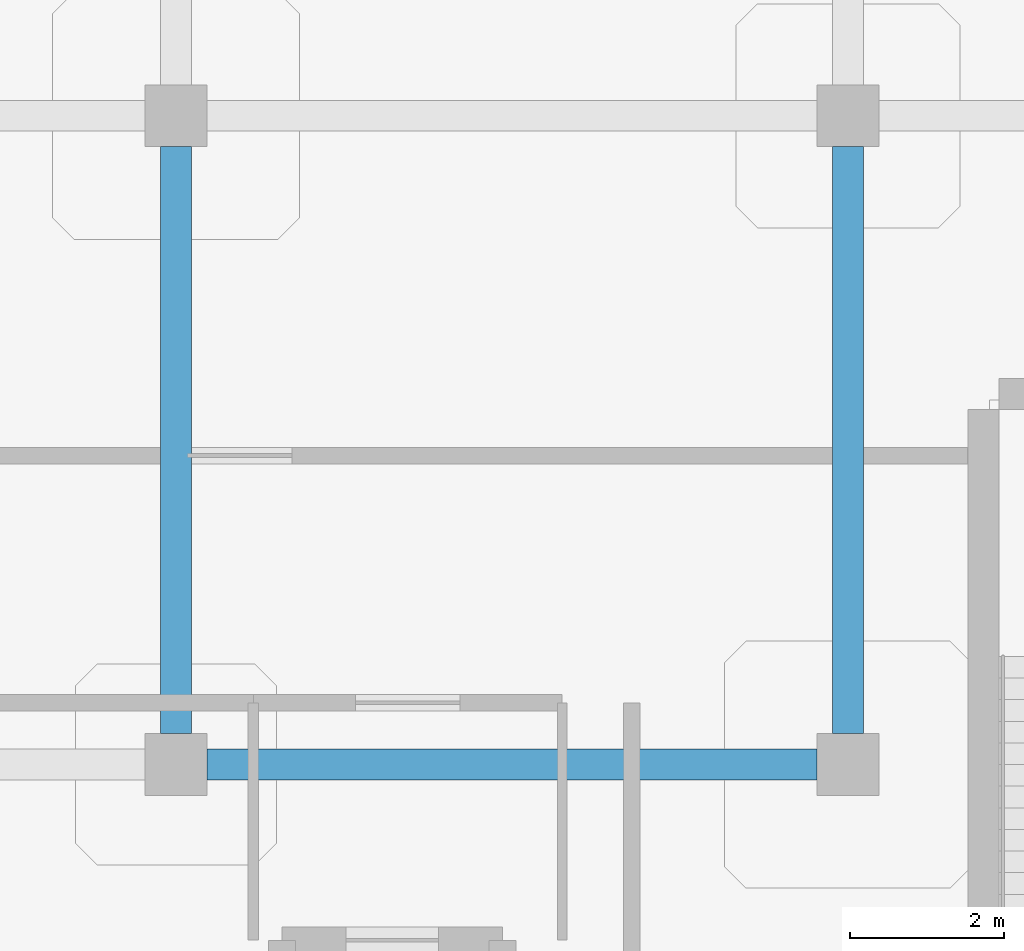
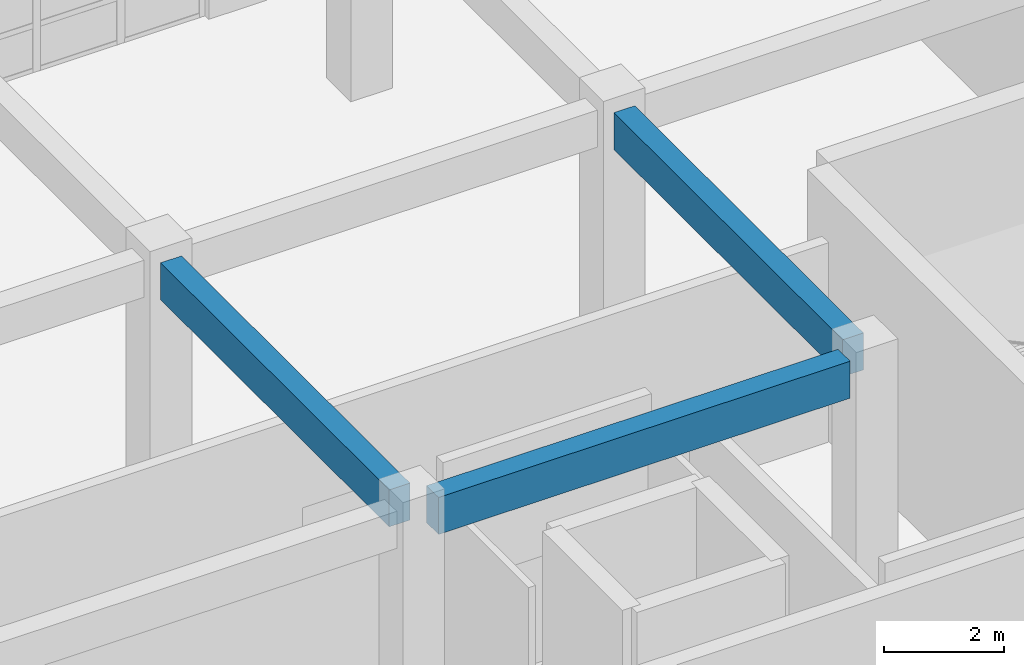
# One storey, part 70 of 124: 3 beams.
"""IFC4 building model written with IfcOpenShell, lengths in metres."""

import ifcopenshell
import ifcopenshell.guid

model = None  # the IFC model being written
_history = None  # IfcOwnerHistory: only IFC2X3 demands one
_inside = {}  # id of a spatial element -> (the spatial element, [elements in it])
_under = {}  # id of a project, library or spatial element -> (it, [spatial elements below it])
_declared = {}  # id of a project -> (the project, [libraries it declares])
_typed = {}  # id of a type object -> (the type object, [elements of that type])
_made_of = {}  # id of a material, layer set ... -> (it, [elements and type objects made of it])


def new_model(schema):
    """Start an empty IFC model of exactly this schema.

    Asked for "IFC4X3", IfcOpenShell would pick the latest addendum, in which some entities
    have other attributes; the version numbers below select the first issue.
    IFC2X3 requires an IfcOwnerHistory on every rooted entity: one is made here for all.
    """
    global model, _history
    if schema == "IFC4X3":
        model = ifcopenshell.file(schema_version=(4, 3, 0, 0))
    else:
        model = ifcopenshell.file(schema=schema)
    _inside.clear()
    _under.clear()
    _declared.clear()
    _typed.clear()
    _made_of.clear()
    _history = None
    if model.schema == "IFC2X3":
        org = make("IfcOrganization", Name="unknown")
        user = make(
            "IfcPersonAndOrganization",
            ThePerson=make("IfcPerson", FamilyName="unknown"),
            TheOrganization=org,
        )
        app = make(
            "IfcApplication",
            ApplicationDeveloper=org,
            Version="unknown",
            ApplicationFullName="unknown",
            ApplicationIdentifier="unknown",
        )
        _history = make(
            "IfcOwnerHistory",
            OwningUser=user,
            OwningApplication=app,
            ChangeAction="ADDED",
            CreationDate=0,
        )
    return model


def make(cls, **values):
    """One entity of the class cls with the attributes given. An attribute that is None is left unset."""
    return model.create_entity(
        cls, **{name: value for name, value in values.items() if value is not None}
    )


def rooted(cls, **values):
    """An entity with a GlobalId (a new one), such as an element, a storey or a relation."""
    return make(cls, GlobalId=ifcopenshell.guid.new(), OwnerHistory=_history, **values)


def si_unit(unit_type, name, prefix=None):
    """IfcSIUnit, for example si_unit("LENGTHUNIT", "METRE", prefix="MILLI")."""
    return make("IfcSIUnit", UnitType=unit_type, Prefix=prefix, Name=name)


def derived_unit(unit_type, elements):
    """IfcDerivedUnit: a product of units, each with its exponent."""
    return make(
        "IfcDerivedUnit",
        Elements=[
            make("IfcDerivedUnitElement", Unit=unit, Exponent=power)
            for unit, power in elements
        ],
        UnitType=unit_type,
    )


def assignment(units):
    """IfcUnitAssignment: the units of a project."""
    return None if units is None else make("IfcUnitAssignment", Units=units)


def point(xyz):
    """IfcCartesianPoint."""
    return None if xyz is None else make("IfcCartesianPoint", Coordinates=xyz)


def direction(xyz):
    """IfcDirection."""
    return None if xyz is None else make("IfcDirection", DirectionRatios=xyz)


def frame(location, z_axis=None, x_axis=None):
    """IfcAxis2Placement3D, a coordinate frame: its origin and axes. An axis left out is left unset."""
    return make(
        "IfcAxis2Placement3D",
        Location=point(location),
        Axis=direction(z_axis),
        RefDirection=direction(x_axis),
    )


def frame_2d(location, x_axis=None):
    """IfcAxis2Placement2D, a coordinate frame in the plane: its origin and x axis."""
    return make(
        "IfcAxis2Placement2D", Location=point(location), RefDirection=direction(x_axis)
    )


def origin():
    """The frame at (0, 0, 0) with its axes left unset."""
    return frame((0.0, 0.0, 0.0))


def origin_2d():
    """The frame at (0, 0) in the plane with its x axis left unset."""
    return frame_2d((0.0, 0.0))


def place(relative_to, where):
    """IfcLocalPlacement: puts the frame where relative to a parent placement (None: the world)."""
    return make(
        "IfcLocalPlacement", PlacementRelTo=relative_to, RelativePlacement=where
    )


def context(
    kind, dimensions, precision=None, world=None, true_north=None, identifier=None
):
    """IfcGeometricRepresentationContext, for example the 3D "Model" context."""
    return make(
        "IfcGeometricRepresentationContext",
        ContextIdentifier=identifier,
        ContextType=kind,
        CoordinateSpaceDimension=dimensions,
        Precision=precision,
        WorldCoordinateSystem=world,
        TrueNorth=true_north,
    )


def subcontext(parent, identifier, kind, view, scale=None):
    """IfcGeometricRepresentationSubContext, for example "Body" below "Model"."""
    return make(
        "IfcGeometricRepresentationSubContext",
        ContextIdentifier=identifier,
        ContextType=kind,
        ParentContext=parent,
        TargetScale=scale,
        TargetView=view,
    )


def project(units=None, contexts=None):
    """IfcProject with its units and contexts."""
    return rooted(
        "IfcProject",
        Name="project",
        RepresentationContexts=contexts,
        UnitsInContext=assignment(units),
    )


def spatial(cls, under=None, at=None, **own):
    """A site, building, storey or space (cls), placed at a placement, below another one or the project."""
    s = rooted(cls, ObjectPlacement=at, **own)
    if under is not None:
        _under.setdefault(under.id(), (under, []))[1].append(s)
    return s


def profile(cls, at=None, kind="AREA", **sizes):
    """A parametric profile (cls). Its sizes go by their IFC names, for example OverallWidth=200.0."""
    return make(cls, ProfileType=kind, Position=at, **sizes)


def rectangle(**sizes):
    """IfcRectangleProfileDef."""
    return profile("IfcRectangleProfileDef", **sizes)


def extrude(swept, where, along, depth):
    """IfcExtrudedAreaSolid: the profile swept, set in the frame where, extruded along a direction by depth."""
    return make(
        "IfcExtrudedAreaSolid",
        SweptArea=swept,
        Position=where,
        ExtrudedDirection=direction(along),
        Depth=depth,
    )


def shape(context_of_items, identifier, shape_type, items):
    """IfcShapeRepresentation: the items that make up one representation, for example the "Body"."""
    return make(
        "IfcShapeRepresentation",
        ContextOfItems=context_of_items,
        RepresentationIdentifier=identifier,
        RepresentationType=shape_type,
        Items=items,
    )


def material(Name=None, Category=None):
    """IfcMaterial."""
    return make("IfcMaterial", Name=Name, Category=Category)


def material_profile(
    of_material, cross_section, Name=None, Category=None, Priority=None
):
    """IfcMaterialProfile: a cross section and its material."""
    return make(
        "IfcMaterialProfile",
        Name=Name,
        Material=of_material,
        Profile=cross_section,
        Priority=Priority,
        Category=Category,
    )


def profile_set(profiles, Name=None, composite=None):
    """IfcMaterialProfileSet."""
    return make(
        "IfcMaterialProfileSet",
        Name=Name,
        MaterialProfiles=profiles,
        CompositeProfile=composite,
    )


def made_of(thing, what):
    """Note that an element or type object is made of a material, layer set ...; save() writes the relation."""
    if what is not None:
        _made_of.setdefault(what.id(), (what, []))[1].append(thing)
    return thing


def type_object(cls, material=None, **own):
    """A type object (cls), such as IfcWallType, which elements share."""
    return made_of(rooted(cls, **own), material)


def element(
    cls,
    number,
    at=None,
    inside=None,
    cuts=None,
    type_object=None,
    material=None,
    context=None,
    identifier="Body",
    shape_type=None,
    held_by="IfcProductDefinitionShape",
    body=None,
    shapes=None,
    **own,
):
    """One element of the class cls, such as IfcWall. Its Tag is "e" and its number.

    at: its placement. inside: the storey or other place that contains it. cuts: it is an
    opening in that element (IfcRelVoidsElement). A single representation is given by context,
    identifier, shape_type and body (its items); several are given by shapes. held_by: the class
    of the entity that holds the representations. save() writes the other relations.
    """
    e = rooted(cls, Tag="e%d" % number, ObjectPlacement=at, **own)
    if body is not None:
        shapes = [shape(context, identifier, shape_type, body)]
    if shapes is not None:
        e.Representation = make(held_by, Representations=shapes)
    if inside is not None:
        _inside.setdefault(inside.id(), (inside, []))[1].append(e)
    if cuts is not None:
        rooted(
            "IfcRelVoidsElement", RelatingBuildingElement=cuts, RelatedOpeningElement=e
        )
    if type_object is not None:
        _typed.setdefault(type_object.id(), (type_object, []))[1].append(e)
    return made_of(e, material)


def aggregate(whole, parts):
    """IfcRelAggregates: a whole, such as a stair, and the parts it consists of."""
    return rooted("IfcRelAggregates", RelatingObject=whole, RelatedObjects=parts)


def save(model, path):
    """Write the relations noted so far, then the file.

    IfcRelAggregates (storeys below a building ...), IfcRelContainedInSpatialStructure (elements
    in a storey), IfcRelDefinesByType, IfcRelAssociatesMaterial and IfcRelDeclares: one each for
    every whole, place, type object, material and project.
    """
    for whole, parts in _under.values():
        aggregate(whole, parts)
    for where, things in _inside.values():
        rooted(
            "IfcRelContainedInSpatialStructure",
            RelatedElements=things,
            RelatingStructure=where,
        )
    for kind, things in _typed.values():
        rooted("IfcRelDefinesByType", RelatedObjects=things, RelatingType=kind)
    for what, things in _made_of.values():
        rooted("IfcRelAssociatesMaterial", RelatedObjects=things, RelatingMaterial=what)
    for by, libraries in _declared.values():
        rooted("IfcRelDeclares", RelatingContext=by, RelatedDefinitions=libraries)
    model.write(path)


model = new_model("IFC4")

# Units and contexts
model_context = context("Model", 3, precision=1e-05, world=origin(), true_north=direction((0.0, 1.0)))
body_context = subcontext(model_context, "Body", "Model", "MODEL_VIEW")
ifc_project = project(units=[si_unit("LENGTHUNIT", "METRE"), si_unit("AREAUNIT", "SQUARE_METRE"), si_unit("VOLUMEUNIT", "CUBIC_METRE"), si_unit("PLANEANGLEUNIT", "RADIAN"), si_unit("MASSUNIT", "GRAM", prefix="KILO"), derived_unit("THERMALTRANSMITTANCEUNIT", [(si_unit("MASSUNIT", "GRAM", prefix="KILO"), 1), (si_unit("TIMEUNIT", "SECOND"), -3), (si_unit("THERMODYNAMICTEMPERATUREUNIT", "KELVIN"), -1)])], contexts=[model_context])

# Site, building, storey
site_placement = place(None, origin())
site = spatial("IfcSite", under=ifc_project, at=site_placement, CompositionType="ELEMENT")
building_placement = place(site_placement, origin())
building = spatial("IfcBuilding", under=site, at=building_placement, Name="Qinzheling Arcade Emporium", CompositionType="ELEMENT")
storey_placement = place(building_placement, frame((0.0, 0.0, 16.5)))
storey = spatial("IfcBuildingStorey", under=building, at=storey_placement, Name="L04", CompositionType="ELEMENT", Elevation=16.5)

# Beams
ifc_material = material(Name="Concrete C40", Category="concrete")
ifc_material_profile = material_profile(ifc_material, rectangle(XDim=0.39990234375, YDim=0.75, at=origin_2d()), Name="RC 400x750", Category="concrete")
ifc_profile_set = profile_set([ifc_material_profile], Name="Concrete C40")
beam_type = type_object("IfcBeamType", Name="RC Interior Tie Beam 400x750 C40", PredefinedType="BEAM", material=ifc_profile_set)
beam_placement = place(storey_placement, frame((130.89990234375, 8.39990234375, 4.429931640625), z_axis=(1.0, 0.0, 0.0), x_axis=(0.0, 1.0, 0.0)))
element("IfcBeam", 1, at=beam_placement, inside=storey, type_object=beam_type, Name="Beam BM-L04-X-B-16", PredefinedType="BEAM", context=body_context, shape_type="SweptSolid", body=[
    extrude(rectangle(XDim=0.39990234375, YDim=0.75, at=origin_2d()), origin(), (0.0, 0.0, 1.0), 7.900146484375),
])
for number, where, z_axis, x_axis, name in (
    (2, (130.5, 8.800048828125, 4.429931640625), (0.0, 1.0, 0.0), (-1.0, 0.0, 0.0), "Beam BM-L04-Y-16-B"),
    (3, (139.199951171875, 8.800048828125, 4.429931640625), (0.0, 1.0, 0.0), (-1.0, 0.0, 0.0), "Beam BM-L04-Y-17-B"),
):
    element("IfcBeam", number, at=place(storey_placement, frame(where, z_axis=z_axis, x_axis=x_axis)), inside=storey, type_object=beam_type, Name=name, PredefinedType="BEAM", context=body_context, shape_type="SweptSolid", body=[
        extrude(rectangle(XDim=0.39990234375, YDim=0.75, at=origin_2d()), origin(), (0.0, 0.0, 1.0), 7.599853515625),
    ])

save(model, "model.ifc")
